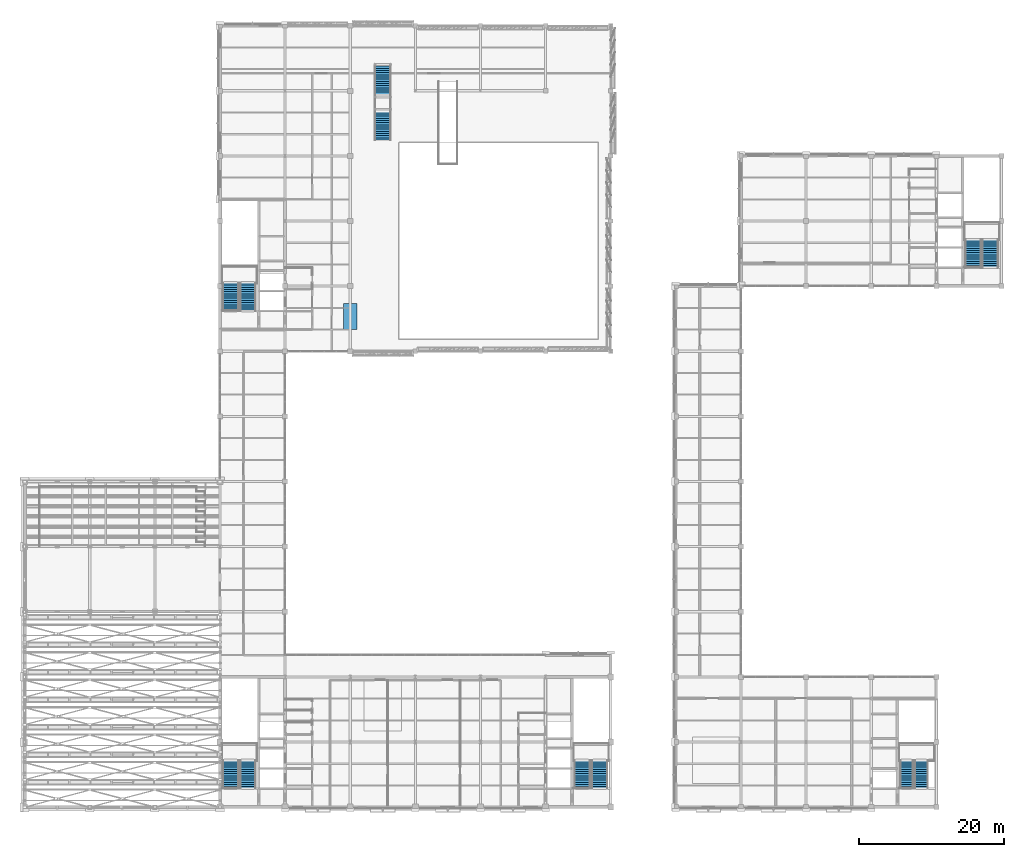
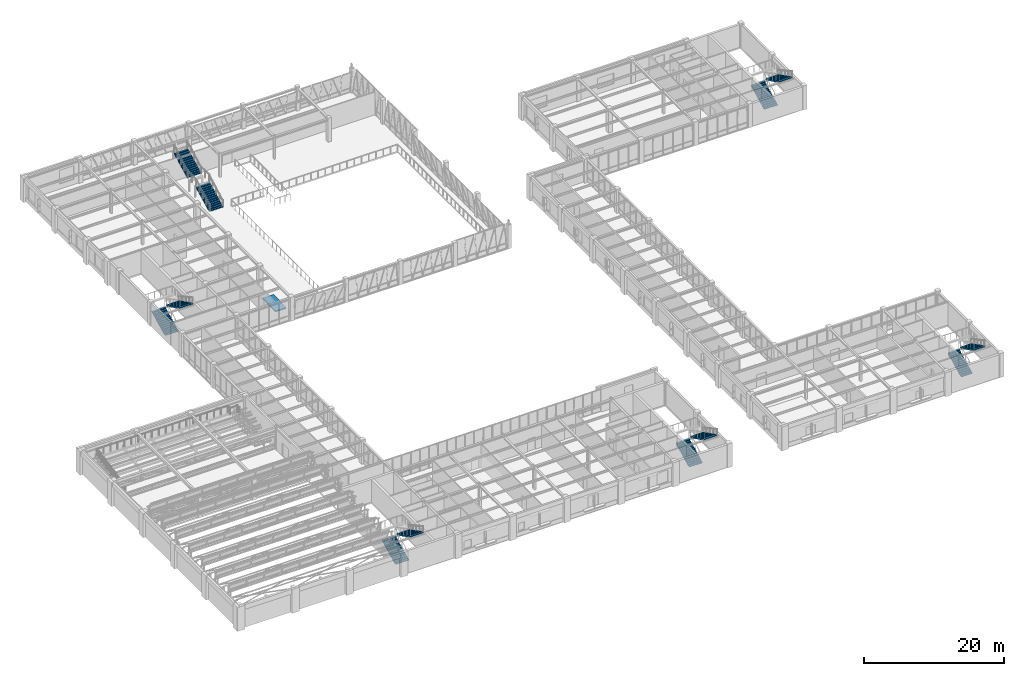
# One storey, part 96 of 108: 12 stair flights, 1 ramp flight, 7 elements without a shape of their own.
"""IFC4 building model written with IfcOpenShell, lengths in metres."""

import ifcopenshell
import ifcopenshell.guid

model = None  # the IFC model being written
_history = None  # IfcOwnerHistory: only IFC2X3 demands one
_inside = {}  # id of a spatial element -> (the spatial element, [elements in it])
_under = {}  # id of a project, library or spatial element -> (it, [spatial elements below it])
_declared = {}  # id of a project -> (the project, [libraries it declares])
_typed = {}  # id of a type object -> (the type object, [elements of that type])
_made_of = {}  # id of a material, layer set ... -> (it, [elements and type objects made of it])


def new_model(schema):
    """Start an empty IFC model of exactly this schema.

    Asked for "IFC4X3", IfcOpenShell would pick the latest addendum, in which some entities
    have other attributes; the version numbers below select the first issue.
    IFC2X3 requires an IfcOwnerHistory on every rooted entity: one is made here for all.
    """
    global model, _history
    if schema == "IFC4X3":
        model = ifcopenshell.file(schema_version=(4, 3, 0, 0))
    else:
        model = ifcopenshell.file(schema=schema)
    _inside.clear()
    _under.clear()
    _declared.clear()
    _typed.clear()
    _made_of.clear()
    _history = None
    if model.schema == "IFC2X3":
        org = make("IfcOrganization", Name="unknown")
        user = make(
            "IfcPersonAndOrganization",
            ThePerson=make("IfcPerson", FamilyName="unknown"),
            TheOrganization=org,
        )
        app = make(
            "IfcApplication",
            ApplicationDeveloper=org,
            Version="unknown",
            ApplicationFullName="unknown",
            ApplicationIdentifier="unknown",
        )
        _history = make(
            "IfcOwnerHistory",
            OwningUser=user,
            OwningApplication=app,
            ChangeAction="ADDED",
            CreationDate=0,
        )
    return model


def make(cls, **values):
    """One entity of the class cls with the attributes given. An attribute that is None is left unset."""
    return model.create_entity(
        cls, **{name: value for name, value in values.items() if value is not None}
    )


def rooted(cls, **values):
    """An entity with a GlobalId (a new one), such as an element, a storey or a relation."""
    return make(cls, GlobalId=ifcopenshell.guid.new(), OwnerHistory=_history, **values)


def si_unit(unit_type, name, prefix=None):
    """IfcSIUnit, for example si_unit("LENGTHUNIT", "METRE", prefix="MILLI")."""
    return make("IfcSIUnit", UnitType=unit_type, Prefix=prefix, Name=name)


def assignment(units):
    """IfcUnitAssignment: the units of a project."""
    return None if units is None else make("IfcUnitAssignment", Units=units)


def point(xyz):
    """IfcCartesianPoint."""
    return None if xyz is None else make("IfcCartesianPoint", Coordinates=xyz)


def direction(xyz):
    """IfcDirection."""
    return None if xyz is None else make("IfcDirection", DirectionRatios=xyz)


def frame(location, z_axis=None, x_axis=None):
    """IfcAxis2Placement3D, a coordinate frame: its origin and axes. An axis left out is left unset."""
    return make(
        "IfcAxis2Placement3D",
        Location=point(location),
        Axis=direction(z_axis),
        RefDirection=direction(x_axis),
    )


def origin():
    """The frame at (0, 0, 0) with its axes left unset."""
    return frame((0.0, 0.0, 0.0))


def place(relative_to, where):
    """IfcLocalPlacement: puts the frame where relative to a parent placement (None: the world)."""
    return make(
        "IfcLocalPlacement", PlacementRelTo=relative_to, RelativePlacement=where
    )


def context(
    kind, dimensions, precision=None, world=None, true_north=None, identifier=None
):
    """IfcGeometricRepresentationContext, for example the 3D "Model" context."""
    return make(
        "IfcGeometricRepresentationContext",
        ContextIdentifier=identifier,
        ContextType=kind,
        CoordinateSpaceDimension=dimensions,
        Precision=precision,
        WorldCoordinateSystem=world,
        TrueNorth=true_north,
    )


def subcontext(parent, identifier, kind, view, scale=None):
    """IfcGeometricRepresentationSubContext, for example "Body" below "Model"."""
    return make(
        "IfcGeometricRepresentationSubContext",
        ContextIdentifier=identifier,
        ContextType=kind,
        ParentContext=parent,
        TargetScale=scale,
        TargetView=view,
    )


def project(units=None, contexts=None):
    """IfcProject with its units and contexts."""
    return rooted(
        "IfcProject",
        Name="project",
        RepresentationContexts=contexts,
        UnitsInContext=assignment(units),
    )


def spatial(cls, under=None, at=None, **own):
    """A site, building, storey or space (cls), placed at a placement, below another one or the project."""
    s = rooted(cls, ObjectPlacement=at, **own)
    if under is not None:
        _under.setdefault(under.id(), (under, []))[1].append(s)
    return s


def polyline(points):
    """IfcPolyline through the points."""
    return make("IfcPolyline", Points=[point(p) for p in points])


def outline(outer, holes=None, kind="AREA"):
    """IfcArbitraryClosedProfileDef: a profile drawn as a closed curve; with holes, ...WithVoids."""
    if holes is None:
        return make("IfcArbitraryClosedProfileDef", ProfileType=kind, OuterCurve=outer)
    return make(
        "IfcArbitraryProfileDefWithVoids",
        ProfileType=kind,
        OuterCurve=outer,
        InnerCurves=holes,
    )


def extrude(swept, where, along, depth):
    """IfcExtrudedAreaSolid: the profile swept, set in the frame where, extruded along a direction by depth."""
    return make(
        "IfcExtrudedAreaSolid",
        SweptArea=swept,
        Position=where,
        ExtrudedDirection=direction(along),
        Depth=depth,
    )


def shape(context_of_items, identifier, shape_type, items):
    """IfcShapeRepresentation: the items that make up one representation, for example the "Body"."""
    return make(
        "IfcShapeRepresentation",
        ContextOfItems=context_of_items,
        RepresentationIdentifier=identifier,
        RepresentationType=shape_type,
        Items=items,
    )


def material(Name=None, Category=None):
    """IfcMaterial."""
    return make("IfcMaterial", Name=Name, Category=Category)


def layer(
    of_material, thickness, ventilated=None, Name=None, Category=None, Priority=None
):
    """IfcMaterialLayer: one layer of a wall or slab, of a material (None: an air gap)."""
    return make(
        "IfcMaterialLayer",
        Material=of_material,
        LayerThickness=thickness,
        IsVentilated=ventilated,
        Name=Name,
        Category=Category,
        Priority=Priority,
    )


def layer_set(layers, Name=None):
    """IfcMaterialLayerSet."""
    return make("IfcMaterialLayerSet", MaterialLayers=layers, LayerSetName=Name)


def made_of(thing, what):
    """Note that an element or type object is made of a material, layer set ...; save() writes the relation."""
    if what is not None:
        _made_of.setdefault(what.id(), (what, []))[1].append(thing)
    return thing


def type_object(cls, material=None, **own):
    """A type object (cls), such as IfcWallType, which elements share."""
    return made_of(rooted(cls, **own), material)


def element(
    cls,
    number,
    at=None,
    inside=None,
    cuts=None,
    type_object=None,
    material=None,
    context=None,
    identifier="Body",
    shape_type=None,
    held_by="IfcProductDefinitionShape",
    body=None,
    shapes=None,
    **own,
):
    """One element of the class cls, such as IfcWall. Its Tag is "e" and its number.

    at: its placement. inside: the storey or other place that contains it. cuts: it is an
    opening in that element (IfcRelVoidsElement). A single representation is given by context,
    identifier, shape_type and body (its items); several are given by shapes. held_by: the class
    of the entity that holds the representations. save() writes the other relations.
    """
    e = rooted(cls, Tag="e%d" % number, ObjectPlacement=at, **own)
    if body is not None:
        shapes = [shape(context, identifier, shape_type, body)]
    if shapes is not None:
        e.Representation = make(held_by, Representations=shapes)
    if inside is not None:
        _inside.setdefault(inside.id(), (inside, []))[1].append(e)
    if cuts is not None:
        rooted(
            "IfcRelVoidsElement", RelatingBuildingElement=cuts, RelatedOpeningElement=e
        )
    if type_object is not None:
        _typed.setdefault(type_object.id(), (type_object, []))[1].append(e)
    return made_of(e, material)


def aggregate(whole, parts):
    """IfcRelAggregates: a whole, such as a stair, and the parts it consists of."""
    return rooted("IfcRelAggregates", RelatingObject=whole, RelatedObjects=parts)


def save(model, path):
    """Write the relations noted so far, then the file.

    IfcRelAggregates (storeys below a building ...), IfcRelContainedInSpatialStructure (elements
    in a storey), IfcRelDefinesByType, IfcRelAssociatesMaterial and IfcRelDeclares: one each for
    every whole, place, type object, material and project.
    """
    for whole, parts in _under.values():
        aggregate(whole, parts)
    for where, things in _inside.values():
        rooted(
            "IfcRelContainedInSpatialStructure",
            RelatedElements=things,
            RelatingStructure=where,
        )
    for kind, things in _typed.values():
        rooted("IfcRelDefinesByType", RelatedObjects=things, RelatingType=kind)
    for what, things in _made_of.values():
        rooted("IfcRelAssociatesMaterial", RelatedObjects=things, RelatingMaterial=what)
    for by, libraries in _declared.values():
        rooted("IfcRelDeclares", RelatingContext=by, RelatedDefinitions=libraries)
    model.write(path)


model = new_model("IFC4")

# Units and contexts
model_context = context("Model", 3, precision=1e-05, world=origin(), true_north=direction((0.0, 1.0)))
body_context = subcontext(model_context, "Body", "Model", "MODEL_VIEW")
ifc_project = project(units=[si_unit("LENGTHUNIT", "METRE"), si_unit("AREAUNIT", "SQUARE_METRE"), si_unit("VOLUMEUNIT", "CUBIC_METRE"), si_unit("PLANEANGLEUNIT", "RADIAN"), si_unit("MASSUNIT", "GRAM", prefix="KILO")], contexts=[model_context])

# Site, building, storey
site_placement = place(None, origin())
site = spatial("IfcSite", under=ifc_project, at=site_placement, CompositionType="ELEMENT")
building_placement = place(site_placement, origin())
building = spatial("IfcBuilding", under=site, at=building_placement, Name="Lykobir Media Centre", CompositionType="ELEMENT")
storey_placement = place(building_placement, frame((0.0, 0.0, 15.0)))
storey = spatial("IfcBuildingStorey", under=building, at=storey_placement, Name="L03", CompositionType="ELEMENT", Elevation=15.0)

# Stair, stair flights
ifc_material = material(Name="Concrete C30/37", Category="concrete")
stair_type_1 = type_object("IfcStairType", Name="ST-AUX-420", PredefinedType="HALF_TURN_STAIR", material=ifc_material)
stair_1_placement = place(storey_placement, origin())
stair_1 = element("IfcStair", 1, at=stair_1_placement, inside=storey, type_object=stair_type_1, Name="Escape stair ST-5 L03", PredefinedType="HALF_TURN_STAIR")
ifc_layer_1 = layer(ifc_material, 0.14990234375, Name="Concrete C30/37")
ifc_layer_set_1 = layer_set([ifc_layer_1], Name="Concrete C30/37")
stair_flight_type_1 = type_object("IfcStairFlightType", Name="FL-185-14", PredefinedType="STRAIGHT", material=ifc_layer_set_1)
stair_flight_1_placement = place(storey_placement, frame((121.89501953125, 2.530029296875, 0.0), z_axis=(0.0, 0.0, 1.0), x_axis=(0.0, 1.0, 0.0)))
stair_flight_1 = element("IfcStairFlight", 2, at=stair_flight_1_placement, type_object=stair_flight_type_1, Name="ST-5-L03 flight 1", NumberOfRisers=14, NumberOfTreads=13, PredefinedType="STRAIGHT", RiserHeight=0.15, TreadLength=0.3, context=body_context, shape_type="SweptSolid", body=[
    extrude(outline(polyline([(0.0, 0.0), (0.0, 0.14990234375), (0.300048828125, 0.14990234375), (0.300048828125, 0.300048828125), (0.60009765625, 0.300048828125), (0.60009765625, 0.449951171875), (0.89990234375, 0.449951171875), (0.89990234375, 0.60009765625), (1.199951171875, 0.60009765625), (1.199951171875, 0.75), (1.5, 0.75), (1.5, 0.89990234375), (1.800048828125, 0.89990234375), (1.800048828125, 1.050048828125), (2.10009765625, 1.050048828125), (2.10009765625, 1.199951171875), (2.39990234375, 1.199951171875), (2.39990234375, 1.35009765625), (2.699951171875, 1.35009765625), (2.699951171875, 1.5), (3.0, 1.5), (3.0, 1.64990234375), (3.300048828125, 1.64990234375), (3.300048828125, 1.800048828125), (3.60009765625, 1.800048828125), (3.60009765625, 1.949951171875), (3.89990234375, 1.949951171875), (3.89990234375, 2.10009765625), (3.89990234375, 1.771240234375), (0.357666015625, 0.0), (0.0, 0.0)])), frame((0.0, 0.925048828125, 0.0), z_axis=(0.0, -1.0, 0.0), x_axis=(1.0, 0.0, 0.0)), (0.0, 0.0, 1.0), 1.85009765625),
])
stair_flight_2_placement = place(storey_placement, frame((123.945068359375, 6.429931640625, 2.10009765625), z_axis=(0.0, 0.0, 1.0), x_axis=(0.0, -1.0, 0.0)))
stair_flight_2 = element("IfcStairFlight", 3, at=stair_flight_2_placement, type_object=stair_flight_type_1, Name="ST-5-L03 flight 2", NumberOfRisers=14, NumberOfTreads=13, PredefinedType="STRAIGHT", RiserHeight=0.15, TreadLength=0.3, context=body_context, shape_type="SweptSolid", body=[
    extrude(outline(polyline([(0.0, 0.0), (0.0, 0.14990234375), (0.300048828125, 0.14990234375), (0.300048828125, 0.300048828125), (0.60009765625, 0.300048828125), (0.60009765625, 0.449951171875), (0.89990234375, 0.449951171875), (0.89990234375, 0.60009765625), (1.199951171875, 0.60009765625), (1.199951171875, 0.75), (1.5, 0.75), (1.5, 0.89990234375), (1.800048828125, 0.89990234375), (1.800048828125, 1.050048828125), (2.10009765625, 1.050048828125), (2.10009765625, 1.199951171875), (2.39990234375, 1.199951171875), (2.39990234375, 1.35009765625), (2.699951171875, 1.35009765625), (2.699951171875, 1.5), (3.0, 1.5), (3.0, 1.64990234375), (3.300048828125, 1.64990234375), (3.300048828125, 1.800048828125), (3.60009765625, 1.800048828125), (3.60009765625, 1.949951171875), (3.89990234375, 1.949951171875), (3.89990234375, 2.10009765625), (3.89990234375, 1.771240234375), (0.357666015625, 0.0), (0.0, 0.0)])), frame((0.0, 0.925048828125, 0.0), z_axis=(0.0, -1.0, 0.0), x_axis=(1.0, 0.0, 0.0)), (0.0, 0.0, 1.0), 1.85009765625),
])
aggregate(stair_1, [stair_flight_1, stair_flight_2])

stair_type_2 = type_object("IfcStairType", Name="ST-HT-420", PredefinedType="HALF_TURN_STAIR", material=ifc_material)
stair_2_placement = place(storey_placement, origin())
stair_2 = element("IfcStair", 4, at=stair_2_placement, inside=storey, type_object=stair_type_2, Name="Escape stair ST-1 L03", PredefinedType="HALF_TURN_STAIR")
ifc_layer_2 = layer(ifc_material, 0.14990234375, Name="Concrete C30/37")
ifc_layer_set_2 = layer_set([ifc_layer_2], Name="Concrete C30/37")
stair_flight_type_2 = type_object("IfcStairFlightType", Name="FL-220-14", PredefinedType="STRAIGHT", material=ifc_layer_set_2)
stair_flight_3_placement = place(storey_placement, frame((28.469970703125, 2.530029296875, 0.0), z_axis=(0.0, 0.0, 1.0), x_axis=(0.0, 1.0, 0.0)))
stair_flight_3 = element("IfcStairFlight", 5, at=stair_flight_3_placement, type_object=stair_flight_type_2, Name="ST-1-L03 flight 1", NumberOfRisers=14, NumberOfTreads=13, PredefinedType="STRAIGHT", RiserHeight=0.15, TreadLength=0.3, context=body_context, shape_type="SweptSolid", body=[
    extrude(outline(polyline([(0.0, 0.0), (0.0, 0.14990234375), (0.300048828125, 0.14990234375), (0.300048828125, 0.300048828125), (0.60009765625, 0.300048828125), (0.60009765625, 0.449951171875), (0.89990234375, 0.449951171875), (0.89990234375, 0.60009765625), (1.199951171875, 0.60009765625), (1.199951171875, 0.75), (1.5, 0.75), (1.5, 0.89990234375), (1.800048828125, 0.89990234375), (1.800048828125, 1.050048828125), (2.10009765625, 1.050048828125), (2.10009765625, 1.199951171875), (2.39990234375, 1.199951171875), (2.39990234375, 1.35009765625), (2.699951171875, 1.35009765625), (2.699951171875, 1.5), (3.0, 1.5), (3.0, 1.64990234375), (3.300048828125, 1.64990234375), (3.300048828125, 1.800048828125), (3.60009765625, 1.800048828125), (3.60009765625, 1.949951171875), (3.89990234375, 1.949951171875), (3.89990234375, 2.10009765625), (3.89990234375, 1.771240234375), (0.357666015625, 0.0), (0.0, 0.0)])), frame((0.0, 1.10009765625, 0.0), z_axis=(0.0, -1.0, 0.0), x_axis=(1.0, 0.0, 0.0)), (0.0, 0.0, 1.0), 2.199951171875),
])
stair_flight_4_placement = place(storey_placement, frame((30.8701171875, 6.429931640625, 2.10009765625), z_axis=(0.0, 0.0, 1.0), x_axis=(0.0, -1.0, 0.0)))
stair_flight_4 = element("IfcStairFlight", 6, at=stair_flight_4_placement, type_object=stair_flight_type_2, Name="ST-1-L03 flight 2", NumberOfRisers=14, NumberOfTreads=13, PredefinedType="STRAIGHT", RiserHeight=0.15, TreadLength=0.3, context=body_context, shape_type="SweptSolid", body=[
    extrude(outline(polyline([(0.0, 0.0), (0.0, 0.14990234375), (0.300048828125, 0.14990234375), (0.300048828125, 0.300048828125), (0.60009765625, 0.300048828125), (0.60009765625, 0.449951171875), (0.89990234375, 0.449951171875), (0.89990234375, 0.60009765625), (1.199951171875, 0.60009765625), (1.199951171875, 0.75), (1.5, 0.75), (1.5, 0.89990234375), (1.800048828125, 0.89990234375), (1.800048828125, 1.050048828125), (2.10009765625, 1.050048828125), (2.10009765625, 1.199951171875), (2.39990234375, 1.199951171875), (2.39990234375, 1.35009765625), (2.699951171875, 1.35009765625), (2.699951171875, 1.5), (3.0, 1.5), (3.0, 1.64990234375), (3.300048828125, 1.64990234375), (3.300048828125, 1.800048828125), (3.60009765625, 1.800048828125), (3.60009765625, 1.949951171875), (3.89990234375, 1.949951171875), (3.89990234375, 2.10009765625), (3.89990234375, 1.771240234375), (0.357666015625, 0.0), (0.0, 0.0)])), frame((0.0, 1.10009765625, 0.0), z_axis=(0.0, -1.0, 0.0), x_axis=(1.0, 0.0, 0.0)), (0.0, 0.0, 1.0), 2.199951171875),
])
aggregate(stair_2, [stair_flight_3, stair_flight_4])

stair_3_placement = place(storey_placement, origin())
stair_3 = element("IfcStair", 7, at=stair_3_placement, inside=storey, type_object=stair_type_2, Name="Escape stair ST-2 L03", PredefinedType="HALF_TURN_STAIR")
stair_flight_5_placement = place(storey_placement, frame((77.070068359375, 2.530029296875, 0.0), z_axis=(0.0, 0.0, 1.0), x_axis=(0.0, 1.0, 0.0)))
stair_flight_5 = element("IfcStairFlight", 8, at=stair_flight_5_placement, type_object=stair_flight_type_2, Name="ST-2-L03 flight 1", NumberOfRisers=14, NumberOfTreads=13, PredefinedType="STRAIGHT", RiserHeight=0.15, TreadLength=0.3, context=body_context, shape_type="SweptSolid", body=[
    extrude(outline(polyline([(0.0, 0.0), (0.0, 0.14990234375), (0.300048828125, 0.14990234375), (0.300048828125, 0.300048828125), (0.60009765625, 0.300048828125), (0.60009765625, 0.449951171875), (0.89990234375, 0.449951171875), (0.89990234375, 0.60009765625), (1.199951171875, 0.60009765625), (1.199951171875, 0.75), (1.5, 0.75), (1.5, 0.89990234375), (1.800048828125, 0.89990234375), (1.800048828125, 1.050048828125), (2.10009765625, 1.050048828125), (2.10009765625, 1.199951171875), (2.39990234375, 1.199951171875), (2.39990234375, 1.35009765625), (2.699951171875, 1.35009765625), (2.699951171875, 1.5), (3.0, 1.5), (3.0, 1.64990234375), (3.300048828125, 1.64990234375), (3.300048828125, 1.800048828125), (3.60009765625, 1.800048828125), (3.60009765625, 1.949951171875), (3.89990234375, 1.949951171875), (3.89990234375, 2.10009765625), (3.89990234375, 1.771240234375), (0.357666015625, 0.0), (0.0, 0.0)])), frame((0.0, 1.10009765625, 0.0), z_axis=(0.0, -1.0, 0.0), x_axis=(1.0, 0.0, 0.0)), (0.0, 0.0, 1.0), 2.199951171875),
])
stair_flight_6_placement = place(storey_placement, frame((79.469970703125, 6.429931640625, 2.10009765625), z_axis=(0.0, 0.0, 1.0), x_axis=(0.0, -1.0, 0.0)))
stair_flight_6 = element("IfcStairFlight", 9, at=stair_flight_6_placement, type_object=stair_flight_type_2, Name="ST-2-L03 flight 2", NumberOfRisers=14, NumberOfTreads=13, PredefinedType="STRAIGHT", RiserHeight=0.15, TreadLength=0.3, context=body_context, shape_type="SweptSolid", body=[
    extrude(outline(polyline([(0.0, 0.0), (0.0, 0.14990234375), (0.300048828125, 0.14990234375), (0.300048828125, 0.300048828125), (0.60009765625, 0.300048828125), (0.60009765625, 0.449951171875), (0.89990234375, 0.449951171875), (0.89990234375, 0.60009765625), (1.199951171875, 0.60009765625), (1.199951171875, 0.75), (1.5, 0.75), (1.5, 0.89990234375), (1.800048828125, 0.89990234375), (1.800048828125, 1.050048828125), (2.10009765625, 1.050048828125), (2.10009765625, 1.199951171875), (2.39990234375, 1.199951171875), (2.39990234375, 1.35009765625), (2.699951171875, 1.35009765625), (2.699951171875, 1.5), (3.0, 1.5), (3.0, 1.64990234375), (3.300048828125, 1.64990234375), (3.300048828125, 1.800048828125), (3.60009765625, 1.800048828125), (3.60009765625, 1.949951171875), (3.89990234375, 1.949951171875), (3.89990234375, 2.10009765625), (3.89990234375, 1.771240234375), (0.357666015625, 0.0), (0.0, 0.0)])), frame((0.0, 1.10009765625, 0.0), z_axis=(0.0, -1.0, 0.0), x_axis=(1.0, 0.0, 0.0)), (0.0, 0.0, 1.0), 2.199951171875),
])
aggregate(stair_3, [stair_flight_5, stair_flight_6])

stair_4_placement = place(storey_placement, origin())
stair_4 = element("IfcStair", 10, at=stair_4_placement, inside=storey, type_object=stair_type_2, Name="Escape stair ST-3 L03", PredefinedType="HALF_TURN_STAIR")
stair_flight_7_placement = place(storey_placement, frame((28.469970703125, 68.530029296875, 0.0), z_axis=(0.0, 0.0, 1.0), x_axis=(0.0, 1.0, 0.0)))
stair_flight_7 = element("IfcStairFlight", 11, at=stair_flight_7_placement, type_object=stair_flight_type_2, Name="ST-3-L03 flight 1", NumberOfRisers=14, NumberOfTreads=13, PredefinedType="STRAIGHT", RiserHeight=0.15, TreadLength=0.3, context=body_context, shape_type="SweptSolid", body=[
    extrude(outline(polyline([(0.0, 0.0), (0.0, 0.14990234375), (0.300048828125, 0.14990234375), (0.300048828125, 0.300048828125), (0.60009765625, 0.300048828125), (0.60009765625, 0.449951171875), (0.89990234375, 0.449951171875), (0.89990234375, 0.60009765625), (1.199951171875, 0.60009765625), (1.199951171875, 0.75), (1.5, 0.75), (1.5, 0.89990234375), (1.800048828125, 0.89990234375), (1.800048828125, 1.050048828125), (2.10009765625, 1.050048828125), (2.10009765625, 1.199951171875), (2.39990234375, 1.199951171875), (2.39990234375, 1.35009765625), (2.699951171875, 1.35009765625), (2.699951171875, 1.5), (3.0, 1.5), (3.0, 1.64990234375), (3.300048828125, 1.64990234375), (3.300048828125, 1.800048828125), (3.60009765625, 1.800048828125), (3.60009765625, 1.949951171875), (3.89990234375, 1.949951171875), (3.89990234375, 2.10009765625), (3.89990234375, 1.771240234375), (0.357666015625, 0.0), (0.0, 0.0)])), frame((0.0, 1.10009765625, 0.0), z_axis=(0.0, -1.0, 0.0), x_axis=(1.0, 0.0, 0.0)), (0.0, 0.0, 1.0), 2.199951171875),
])
stair_flight_8_placement = place(storey_placement, frame((30.8701171875, 72.429931640625, 2.10009765625), z_axis=(0.0, 0.0, 1.0), x_axis=(0.0, -1.0, 0.0)))
stair_flight_8 = element("IfcStairFlight", 12, at=stair_flight_8_placement, type_object=stair_flight_type_2, Name="ST-3-L03 flight 2", NumberOfRisers=14, NumberOfTreads=13, PredefinedType="STRAIGHT", RiserHeight=0.15, TreadLength=0.3, context=body_context, shape_type="SweptSolid", body=[
    extrude(outline(polyline([(0.0, 0.0), (0.0, 0.14990234375), (0.300048828125, 0.14990234375), (0.300048828125, 0.300048828125), (0.60009765625, 0.300048828125), (0.60009765625, 0.449951171875), (0.89990234375, 0.449951171875), (0.89990234375, 0.60009765625), (1.199951171875, 0.60009765625), (1.199951171875, 0.75), (1.5, 0.75), (1.5, 0.89990234375), (1.800048828125, 0.89990234375), (1.800048828125, 1.050048828125), (2.10009765625, 1.050048828125), (2.10009765625, 1.199951171875), (2.39990234375, 1.199951171875), (2.39990234375, 1.35009765625), (2.699951171875, 1.35009765625), (2.699951171875, 1.5), (3.0, 1.5), (3.0, 1.64990234375), (3.300048828125, 1.64990234375), (3.300048828125, 1.800048828125), (3.60009765625, 1.800048828125), (3.60009765625, 1.949951171875), (3.89990234375, 1.949951171875), (3.89990234375, 2.10009765625), (3.89990234375, 1.771240234375), (0.357666015625, 0.0), (0.0, 0.0)])), frame((0.0, 1.10009765625, 0.0), z_axis=(0.0, -1.0, 0.0), x_axis=(1.0, 0.0, 0.0)), (0.0, 0.0, 1.0), 2.199951171875),
])
aggregate(stair_4, [stair_flight_7, stair_flight_8])

stair_5_placement = place(storey_placement, origin())
stair_5 = element("IfcStair", 13, at=stair_5_placement, inside=storey, type_object=stair_type_2, Name="Escape stair ST-4 L03", PredefinedType="HALF_TURN_STAIR")
stair_flight_9_placement = place(storey_placement, frame((131.070068359375, 74.530029296875, 0.0), z_axis=(0.0, 0.0, 1.0), x_axis=(0.0, 1.0, 0.0)))
stair_flight_9 = element("IfcStairFlight", 14, at=stair_flight_9_placement, type_object=stair_flight_type_2, Name="ST-4-L03 flight 1", NumberOfRisers=14, NumberOfTreads=13, PredefinedType="STRAIGHT", RiserHeight=0.15, TreadLength=0.3, context=body_context, shape_type="SweptSolid", body=[
    extrude(outline(polyline([(0.0, 0.0), (0.0, 0.14990234375), (0.300048828125, 0.14990234375), (0.300048828125, 0.300048828125), (0.60009765625, 0.300048828125), (0.60009765625, 0.449951171875), (0.89990234375, 0.449951171875), (0.89990234375, 0.60009765625), (1.199951171875, 0.60009765625), (1.199951171875, 0.75), (1.5, 0.75), (1.5, 0.89990234375), (1.800048828125, 0.89990234375), (1.800048828125, 1.050048828125), (2.10009765625, 1.050048828125), (2.10009765625, 1.199951171875), (2.39990234375, 1.199951171875), (2.39990234375, 1.35009765625), (2.699951171875, 1.35009765625), (2.699951171875, 1.5), (3.0, 1.5), (3.0, 1.64990234375), (3.300048828125, 1.64990234375), (3.300048828125, 1.800048828125), (3.60009765625, 1.800048828125), (3.60009765625, 1.949951171875), (3.89990234375, 1.949951171875), (3.89990234375, 2.10009765625), (3.89990234375, 1.771240234375), (0.357666015625, 0.0), (0.0, 0.0)])), frame((0.0, 1.10009765625, 0.0), z_axis=(0.0, -1.0, 0.0), x_axis=(1.0, 0.0, 0.0)), (0.0, 0.0, 1.0), 2.199951171875),
])
stair_flight_10_placement = place(storey_placement, frame((133.469970703125, 78.429931640625, 2.10009765625), z_axis=(0.0, 0.0, 1.0), x_axis=(0.0, -1.0, 0.0)))
stair_flight_10 = element("IfcStairFlight", 15, at=stair_flight_10_placement, type_object=stair_flight_type_2, Name="ST-4-L03 flight 2", NumberOfRisers=14, NumberOfTreads=13, PredefinedType="STRAIGHT", RiserHeight=0.15, TreadLength=0.3, context=body_context, shape_type="SweptSolid", body=[
    extrude(outline(polyline([(0.0, 0.0), (0.0, 0.14990234375), (0.300048828125, 0.14990234375), (0.300048828125, 0.300048828125), (0.60009765625, 0.300048828125), (0.60009765625, 0.449951171875), (0.89990234375, 0.449951171875), (0.89990234375, 0.60009765625), (1.199951171875, 0.60009765625), (1.199951171875, 0.75), (1.5, 0.75), (1.5, 0.89990234375), (1.800048828125, 0.89990234375), (1.800048828125, 1.050048828125), (2.10009765625, 1.050048828125), (2.10009765625, 1.199951171875), (2.39990234375, 1.199951171875), (2.39990234375, 1.35009765625), (2.699951171875, 1.35009765625), (2.699951171875, 1.5), (3.0, 1.5), (3.0, 1.64990234375), (3.300048828125, 1.64990234375), (3.300048828125, 1.800048828125), (3.60009765625, 1.800048828125), (3.60009765625, 1.949951171875), (3.89990234375, 1.949951171875), (3.89990234375, 2.10009765625), (3.89990234375, 1.771240234375), (0.357666015625, 0.0), (0.0, 0.0)])), frame((0.0, 1.10009765625, 0.0), z_axis=(0.0, -1.0, 0.0), x_axis=(1.0, 0.0, 0.0)), (0.0, 0.0, 1.0), 2.199951171875),
])
aggregate(stair_5, [stair_flight_9, stair_flight_10])

stair_type_3 = type_object("IfcStairType", Name="ST-VAL-4", PredefinedType="STRAIGHT_RUN_STAIR", material=ifc_material)
stair_6_placement = place(storey_placement, origin())
stair_6 = element("IfcStair", 16, at=stair_6_placement, inside=storey, type_object=stair_type_3, Name="Valley terrace feature stair 4", PredefinedType="STRAIGHT_RUN_STAIR")
ifc_layer_3 = layer(ifc_material, 0.169921875, Name="Concrete C30/37")
ifc_layer_set_3 = layer_set([ifc_layer_3], Name="Concrete C30/37")
stair_flight_type_3 = type_object("IfcStairFlightType", Name="FL-VAL-225", PredefinedType="STRAIGHT", material=ifc_layer_set_3)
stair_flight_11_placement = place(storey_placement, frame((49.5, 92.199951171875, 0.0), z_axis=(0.0, 0.0, 1.0), x_axis=(0.0, 1.0, 0.0)))
stair_flight_11 = element("IfcStairFlight", 17, at=stair_flight_11_placement, type_object=stair_flight_type_3, Name="ST-VAL-4 flight 1", NumberOfRisers=14, NumberOfTreads=13, PredefinedType="STRAIGHT", RiserHeight=0.15, TreadLength=0.3, context=body_context, shape_type="SweptSolid", body=[
    extrude(outline(polyline([(0.0, 0.0), (0.0, 0.14990234375), (0.300048828125, 0.14990234375), (0.300048828125, 0.300048828125), (0.60009765625, 0.300048828125), (0.60009765625, 0.449951171875), (0.89990234375, 0.449951171875), (0.89990234375, 0.60009765625), (1.199951171875, 0.60009765625), (1.199951171875, 0.75), (1.5, 0.75), (1.5, 0.89990234375), (1.800048828125, 0.89990234375), (1.800048828125, 1.050048828125), (2.10009765625, 1.050048828125), (2.10009765625, 1.199951171875), (2.39990234375, 1.199951171875), (2.39990234375, 1.35009765625), (2.699951171875, 1.35009765625), (2.699951171875, 1.5), (3.0, 1.5), (3.0, 1.64990234375), (3.300048828125, 1.64990234375), (3.300048828125, 1.800048828125), (3.60009765625, 1.800048828125), (3.60009765625, 1.949951171875), (3.89990234375, 1.949951171875), (3.89990234375, 2.10009765625), (3.89990234375, 1.748779296875), (0.40234375, 0.0), (0.0, 0.0)])), frame((0.0, 1.125, 0.0), z_axis=(0.0, -1.0, 0.0), x_axis=(1.0, 0.0, 0.0)), (0.0, 0.0, 1.0), 2.25),
])
stair_flight_12_placement = place(storey_placement, frame((49.5, 98.5, 2.10009765625), z_axis=(0.0, 0.0, 1.0), x_axis=(0.0, 1.0, 0.0)))
stair_flight_12 = element("IfcStairFlight", 18, at=stair_flight_12_placement, type_object=stair_flight_type_3, Name="ST-VAL-4 flight 2", NumberOfRisers=14, NumberOfTreads=13, PredefinedType="STRAIGHT", RiserHeight=0.15, TreadLength=0.3, context=body_context, shape_type="SweptSolid", body=[
    extrude(outline(polyline([(0.0, 0.0), (0.0, 0.14990234375), (0.300048828125, 0.14990234375), (0.300048828125, 0.300048828125), (0.60009765625, 0.300048828125), (0.60009765625, 0.449951171875), (0.89990234375, 0.449951171875), (0.89990234375, 0.60009765625), (1.199951171875, 0.60009765625), (1.199951171875, 0.75), (1.5, 0.75), (1.5, 0.89990234375), (1.800048828125, 0.89990234375), (1.800048828125, 1.050048828125), (2.10009765625, 1.050048828125), (2.10009765625, 1.199951171875), (2.39990234375, 1.199951171875), (2.39990234375, 1.35009765625), (2.699951171875, 1.35009765625), (2.699951171875, 1.5), (3.0, 1.5), (3.0, 1.64990234375), (3.300048828125, 1.64990234375), (3.300048828125, 1.800048828125), (3.60009765625, 1.800048828125), (3.60009765625, 1.949951171875), (3.89990234375, 1.949951171875), (3.89990234375, 2.10009765625), (3.89990234375, 1.748779296875), (0.40234375, 0.0), (0.0, 0.0)])), frame((0.0, 1.125, 0.0), z_axis=(0.0, -1.0, 0.0), x_axis=(1.0, 0.0, 0.0)), (0.0, 0.0, 1.0), 2.25),
])
aggregate(stair_6, [stair_flight_11, stair_flight_12])

# Ramp, ramp flight
ramp_type = type_object("IfcRampType", Name="RMP-ACC", PredefinedType="STRAIGHT_RUN_RAMP", material=ifc_material)
ramp_placement = place(storey_placement, origin())
ramp = element("IfcRamp", 19, at=ramp_placement, inside=storey, type_object=ramp_type, Name="Accessible concourse ramp 5", PredefinedType="STRAIGHT_RUN_RAMP")
ifc_layer_4 = layer(ifc_material, 0.199951171875, Name="Concrete C30/37")
ifc_layer_set_4 = layer_set([ifc_layer_4], Name="Concrete C30/37")
ramp_flight_type = type_object("IfcRampFlightType", Name="RFL-ACC-200", PredefinedType="STRAIGHT", material=ifc_layer_set_4)
ramp_flight_placement = place(storey_placement, frame((45.0, 66.0, 0.0), z_axis=(0.0, 0.0, 1.0), x_axis=(0.0, 1.0, 0.0)))
ramp_flight = element("IfcRampFlight", 20, at=ramp_flight_placement, type_object=ramp_flight_type, Name="Accessible concourse ramp flight 5", PredefinedType="STRAIGHT", context=body_context, shape_type="SweptSolid", body=[
    extrude(outline(polyline([(0.0, 0.0), (3.60009765625, 0.1201171875), (3.60009765625, -0.079833984375), (0.0, -0.199951171875), (0.0, 0.0)])), frame((0.0, 0.89990234375, 0.0), z_axis=(0.0, -1.0, 0.0), x_axis=(1.0, 0.0, 0.0)), (0.0, 0.0, 1.0), 1.800048828125),
])
aggregate(ramp, [ramp_flight])

save(model, "model.ifc")
